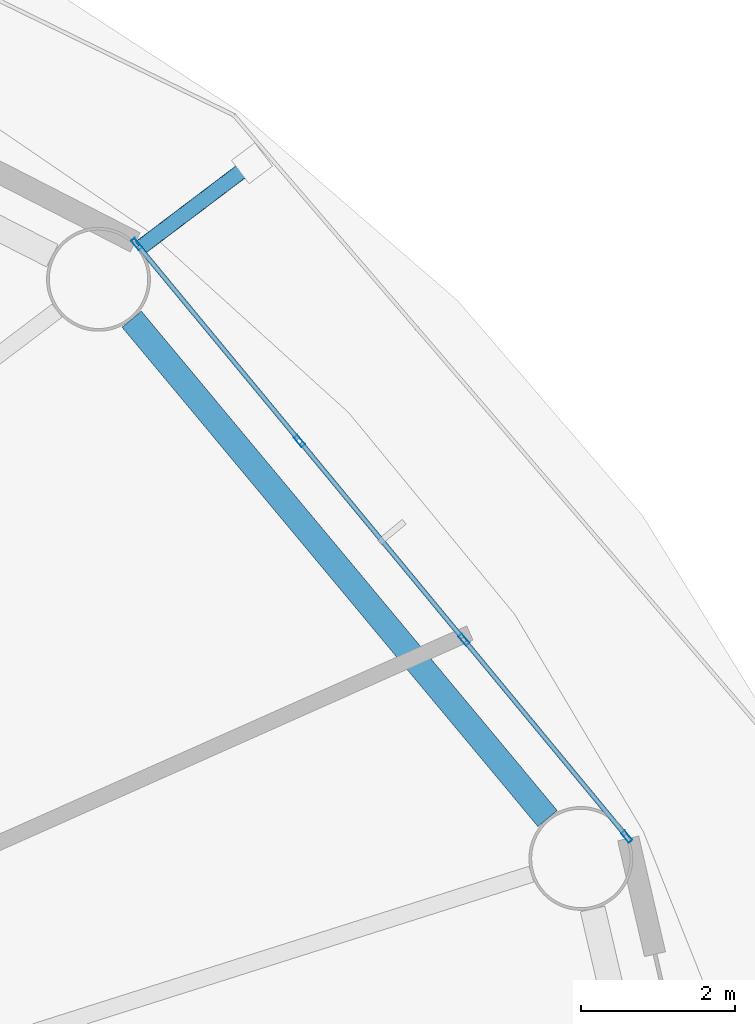
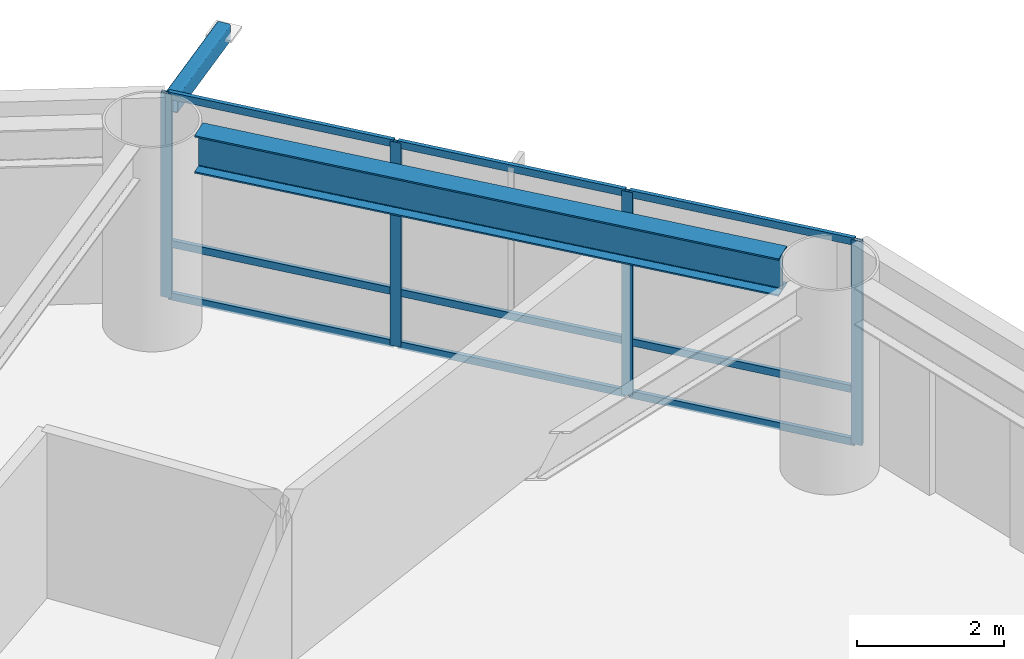
# One storey, part 14 of 26: 14 members, 1 beam, 1 element without a shape of its own.
"""IFC4 building model written with IfcOpenShell, lengths in metres."""

from ifc_helpers import new_model, si_unit, direction, frame, origin, origin_2d, place, context, subcontext, project, spatial, hollow_rectangle, i_section, extrude, material, layer, layer_set, material_profile, profile_set, type_object, element, aggregate, save


model = new_model("IFC4")

# Units and contexts
model_context = context("Model", 3, precision=1e-05, world=origin(), true_north=direction((0.0, 1.0)))
body_context = subcontext(model_context, "Body", "Model", "MODEL_VIEW")
ifc_project = project(units=[si_unit("LENGTHUNIT", "METRE"), si_unit("AREAUNIT", "SQUARE_METRE"), si_unit("VOLUMEUNIT", "CUBIC_METRE"), si_unit("PLANEANGLEUNIT", "RADIAN"), si_unit("MASSUNIT", "GRAM", prefix="KILO")], contexts=[model_context])

# Site, building, storey
site_placement = place(None, origin())
site = spatial("IfcSite", under=ifc_project, at=site_placement, CompositionType="ELEMENT")
building_placement = place(site_placement, origin())
building = spatial("IfcBuilding", under=site, at=building_placement, Name="Sarneth Arch Tower", CompositionType="ELEMENT")
storey_placement = place(building_placement, frame((0.0, 0.0, 53.39990234375)))
storey = spatial("IfcBuildingStorey", under=building, at=storey_placement, Name="L12", CompositionType="ELEMENT", Elevation=53.39990234375)

# Beam
ifc_material_1 = material(Name="Steel S355", Category="steel")
ifc_material_profile_1 = material_profile(ifc_material_1, i_section(OverallWidth=0.326904296875, OverallDepth=0.6220703125, WebThickness=0.015380859375, FlangeThickness=0.0244140625, FilletRadius=0.01904296875, at=origin_2d()), Name="W610x195")
ifc_profile_set_1 = profile_set([ifc_material_profile_1], Name="Steel S355")
beam_type = type_object("IfcBeamType", Name="BM-SPAN-610A", PredefinedType="SPANDREL", material=ifc_profile_set_1)
beam_placement = place(storey_placement, frame((75.533447265625, 51.39697265625, 3.069091796875), z_axis=(-0.639979646835, 0.768391860731, 0.0), x_axis=(-0.768391860731, -0.639979646835, 0.0)))
element("IfcBeam", 1, at=beam_placement, inside=storey, type_object=beam_type, Name="L12 Perimeter spandrel beam 02", PredefinedType="SPANDREL", context=body_context, shape_type="SweptSolid", body=[
    extrude(i_section(OverallWidth=0.326904296875, OverallDepth=0.6220703125, WebThickness=0.015380859375, FlangeThickness=0.0244140625, FilletRadius=0.01904296875, at=origin_2d()), origin(), (0.0, 0.0, 1.0), 8.4453125),
])

# Curtain wall, members
ifc_material_2 = material(Name="Anodised aluminium Type AA25 and solar-control low-e laminated IGU", Category="aluminium")
ifc_layer = layer(ifc_material_2, 0.159912109375)
ifc_layer_set = layer_set([ifc_layer], Name="Anodised aluminium Type AA25 and solar-control low-e laminated IGU")
curtain_wall_type = type_object("IfcCurtainWallType", Name="CW-HOTEL-LOW", PredefinedType="NOTDEFINED", material=ifc_layer_set)
curtain_wall_placement = place(storey_placement, origin())
curtain_wall = element("IfcCurtainWall", 2, at=curtain_wall_placement, inside=storey, type_object=curtain_wall_type, Name="L12 Unitised curtain wall facet 02", PredefinedType="NOTDEFINED")
ifc_material_3 = material(Name="Anodised Aluminium 6063-T6", Category="aluminium")
ifc_material_profile_2 = material_profile(ifc_material_3, hollow_rectangle(XDim=0.06005859375, YDim=0.159912109375, WallThickness=0.00390625, at=origin_2d()), Name="AL-MULL-160x60x4")
ifc_profile_set_2 = profile_set([ifc_material_profile_2], Name="Anodised Aluminium 6063-T6")
member_type_1 = type_object("IfcMemberType", Name="CW-MULLION", PredefinedType="MULLION", material=ifc_profile_set_2)
member_1_placement = place(storey_placement, frame((76.561767578125, 51.16162109375, 0.0), z_axis=(0.0, 0.0, 1.0), x_axis=(-0.770622960278, -0.637291340827, 0.0)))
member_1 = element("IfcMember", 3, at=member_1_placement, type_object=member_type_1, Name="CW-SYS-3 mullion 1", PredefinedType="MULLION", context=body_context, shape_type="SweptSolid", body=[
    extrude(hollow_rectangle(XDim=0.06005859375, YDim=0.159912109375, WallThickness=0.00390625, at=origin_2d()), origin(), (0.0, 0.0, 1.0), 3.380126953125),
])
member_2_placement = place(storey_placement, frame((74.4453125, 53.720947265625, 0.0), z_axis=(0.0, 0.0, 1.0), x_axis=(-0.770622960278, -0.637291340827, 0.0)))
member_2 = element("IfcMember", 4, at=member_2_placement, type_object=member_type_1, Name="CW-SYS-3 mullion 2", PredefinedType="MULLION", context=body_context, shape_type="SweptSolid", body=[
    extrude(hollow_rectangle(XDim=0.06005859375, YDim=0.159912109375, WallThickness=0.00390625, at=origin_2d()), origin(), (0.0, 0.0, 1.0), 3.380126953125),
])
member_3_placement = place(storey_placement, frame((72.309814453125, 56.30322265625, 0.0), z_axis=(0.0, 0.0, 1.0), x_axis=(-0.770622960278, -0.637291340827, 0.0)))
member_3 = element("IfcMember", 5, at=member_3_placement, type_object=member_type_1, Name="CW-SYS-3 mullion 3", PredefinedType="MULLION", context=body_context, shape_type="SweptSolid", body=[
    extrude(hollow_rectangle(XDim=0.06005859375, YDim=0.159912109375, WallThickness=0.00390625, at=origin_2d()), origin(), (0.0, 0.0, 1.0), 3.380126953125),
])
member_4_placement = place(storey_placement, frame((70.193359375, 58.862548828125, 0.0), z_axis=(0.0, 0.0, 1.0), x_axis=(-0.770622960278, -0.637291340827, 0.0)))
member_4 = element("IfcMember", 6, at=member_4_placement, type_object=member_type_1, Name="CW-SYS-3 mullion 4", PredefinedType="MULLION", context=body_context, shape_type="SweptSolid", body=[
    extrude(hollow_rectangle(XDim=0.06005859375, YDim=0.159912109375, WallThickness=0.00390625, at=origin_2d()), origin(), (0.0, 0.0, 1.0), 3.380126953125),
])
ifc_material_4 = material(Name="Anodised Aluminium 6063-T6", Category="aluminium")
ifc_material_profile_3 = material_profile(ifc_material_4, hollow_rectangle(XDim=0.06005859375, YDim=0.1201171875, WallThickness=0.00390625, at=origin_2d()), Name="AL-TRAN-120x60x4")
ifc_profile_set_3 = profile_set([ifc_material_profile_3], Name="Anodised Aluminium 6063-T6")
member_type_2 = type_object("IfcMemberType", Name="CW-TRANSOM", PredefinedType="USERDEFINED", material=ifc_profile_set_3)
member_5_placement = place(storey_placement, frame((76.542724609375, 51.184814453125, 0.030029296875), z_axis=(-0.63733019572, 0.77059082633, 0.0), x_axis=(-0.77059082633, -0.63733019572, 0.0)))
member_5 = element("IfcMember", 7, at=member_5_placement, type_object=member_type_2, Name="CW-SYS-3 transom 1.1", ObjectType="TRANSOM", PredefinedType="USERDEFINED", context=body_context, shape_type="SweptSolid", body=[
    extrude(hollow_rectangle(XDim=0.06005859375, YDim=0.1201171875, WallThickness=0.00390625, at=origin_2d()), origin(), (0.0, 0.0, 1.0), 3.260986328125),
])
member_6_placement = place(storey_placement, frame((76.542724609375, 51.184814453125, 0.900146484375), z_axis=(-0.63733019572, 0.77059082633, 0.0), x_axis=(-0.77059082633, -0.63733019572, 0.0)))
member_6 = element("IfcMember", 8, at=member_6_placement, type_object=member_type_2, Name="CW-SYS-3 transom 1.2", ObjectType="TRANSOM", PredefinedType="USERDEFINED", context=body_context, shape_type="SweptSolid", body=[
    extrude(hollow_rectangle(XDim=0.06005859375, YDim=0.1201171875, WallThickness=0.00390625, at=origin_2d()), origin(), (0.0, 0.0, 1.0), 3.260986328125),
])
member_7_placement = place(storey_placement, frame((76.542724609375, 51.184814453125, 3.35009765625), z_axis=(-0.63733019572, 0.77059082633, 0.0), x_axis=(-0.77059082633, -0.63733019572, 0.0)))
member_7 = element("IfcMember", 9, at=member_7_placement, type_object=member_type_2, Name="CW-SYS-3 transom 1.3", ObjectType="TRANSOM", PredefinedType="USERDEFINED", context=body_context, shape_type="SweptSolid", body=[
    extrude(hollow_rectangle(XDim=0.06005859375, YDim=0.1201171875, WallThickness=0.00390625, at=origin_2d()), origin(), (0.0, 0.0, 1.0), 3.260986328125),
])
member_8_placement = place(storey_placement, frame((74.42626953125, 53.743896484375, 0.030029296875), z_axis=(-0.637268595771, 0.770641769465, 0.0), x_axis=(-0.770641769465, -0.637268595771, 0.0)))
member_8 = element("IfcMember", 10, at=member_8_placement, type_object=member_type_2, Name="CW-SYS-3 transom 2.1", ObjectType="TRANSOM", PredefinedType="USERDEFINED", context=body_context, shape_type="SweptSolid", body=[
    extrude(hollow_rectangle(XDim=0.06005859375, YDim=0.1201171875, WallThickness=0.00390625, at=origin_2d()), origin(), (0.0, 0.0, 1.0), 3.291259765625),
])
member_9_placement = place(storey_placement, frame((74.42626953125, 53.743896484375, 0.900146484375), z_axis=(-0.637268595771, 0.770641769465, 0.0), x_axis=(-0.770641769465, -0.637268595771, 0.0)))
member_9 = element("IfcMember", 11, at=member_9_placement, type_object=member_type_2, Name="CW-SYS-3 transom 2.2", ObjectType="TRANSOM", PredefinedType="USERDEFINED", context=body_context, shape_type="SweptSolid", body=[
    extrude(hollow_rectangle(XDim=0.06005859375, YDim=0.1201171875, WallThickness=0.00390625, at=origin_2d()), origin(), (0.0, 0.0, 1.0), 3.291259765625),
])
member_10_placement = place(storey_placement, frame((74.42626953125, 53.743896484375, 3.35009765625), z_axis=(-0.637268595771, 0.770641769465, 0.0), x_axis=(-0.770641769465, -0.637268595771, 0.0)))
member_10 = element("IfcMember", 12, at=member_10_placement, type_object=member_type_2, Name="CW-SYS-3 transom 2.3", ObjectType="TRANSOM", PredefinedType="USERDEFINED", context=body_context, shape_type="SweptSolid", body=[
    extrude(hollow_rectangle(XDim=0.06005859375, YDim=0.1201171875, WallThickness=0.00390625, at=origin_2d()), origin(), (0.0, 0.0, 1.0), 3.291259765625),
])
member_11_placement = place(storey_placement, frame((72.29052734375, 56.326416015625, 0.030029296875), z_axis=(-0.637285736625, 0.770627594817, 0.0), x_axis=(-0.770627594817, -0.637285736625, 0.0)))
member_11 = element("IfcMember", 13, at=member_11_placement, type_object=member_type_2, Name="CW-SYS-3 transom 3.1", ObjectType="TRANSOM", PredefinedType="USERDEFINED", context=body_context, shape_type="SweptSolid", body=[
    extrude(hollow_rectangle(XDim=0.06005859375, YDim=0.1201171875, WallThickness=0.00390625, at=origin_2d()), origin(), (0.0, 0.0, 1.0), 3.260986328125),
])
member_12_placement = place(storey_placement, frame((72.29052734375, 56.326416015625, 0.900146484375), z_axis=(-0.637285736625, 0.770627594817, 0.0), x_axis=(-0.770627594817, -0.637285736625, 0.0)))
member_12 = element("IfcMember", 14, at=member_12_placement, type_object=member_type_2, Name="CW-SYS-3 transom 3.2", ObjectType="TRANSOM", PredefinedType="USERDEFINED", context=body_context, shape_type="SweptSolid", body=[
    extrude(hollow_rectangle(XDim=0.06005859375, YDim=0.1201171875, WallThickness=0.00390625, at=origin_2d()), origin(), (0.0, 0.0, 1.0), 3.260986328125),
])
member_13_placement = place(storey_placement, frame((72.29052734375, 56.326416015625, 3.35009765625), z_axis=(-0.637285736625, 0.770627594817, 0.0), x_axis=(-0.770627594817, -0.637285736625, 0.0)))
member_13 = element("IfcMember", 15, at=member_13_placement, type_object=member_type_2, Name="CW-SYS-3 transom 3.3", ObjectType="TRANSOM", PredefinedType="USERDEFINED", context=body_context, shape_type="SweptSolid", body=[
    extrude(hollow_rectangle(XDim=0.06005859375, YDim=0.1201171875, WallThickness=0.00390625, at=origin_2d()), origin(), (0.0, 0.0, 1.0), 3.260986328125),
])
aggregate(curtain_wall, [member_1, member_2, member_3, member_4, member_5, member_6, member_7, member_8, member_9, member_10, member_11, member_12, member_13])

# Member
ifc_material_5 = material(Name="Steel S355", Category="steel")
ifc_material_profile_4 = material_profile(ifc_material_5, hollow_rectangle(XDim=0.199951171875, YDim=0.300048828125, WallThickness=0.012451171875, InnerFilletRadius=0.018798828125, OuterFilletRadius=0.03125, at=origin_2d()), Name="RHS300x200x12.5")
ifc_profile_set_4 = profile_set([ifc_material_profile_4], Name="Steel S355")
member_type_3 = type_object("IfcMemberType", Name="MEM-CANT-STRUT", PredefinedType="STRUT", material=ifc_profile_set_4)
member_14_placement = place(storey_placement, frame((70.235107421875, 58.81201171875, 3.22021484375), z_axis=(0.797667176525, 0.603097898764, 0.0), x_axis=(-0.603097898764, 0.797667176525, 0.0)))
element("IfcMember", 16, at=member_14_placement, inside=storey, type_object=member_type_3, Name="L12 Balcony cantilever bracket 03", PredefinedType="STRUT", context=body_context, shape_type="SweptSolid", body=[
    extrude(hollow_rectangle(XDim=0.199951171875, YDim=0.300048828125, WallThickness=0.012451171875, InnerFilletRadius=0.018798828125, OuterFilletRadius=0.03125, at=origin_2d()), origin(), (0.0, 0.0, 1.0), 1.82568359375),
])

save(model, "model.ifc")
